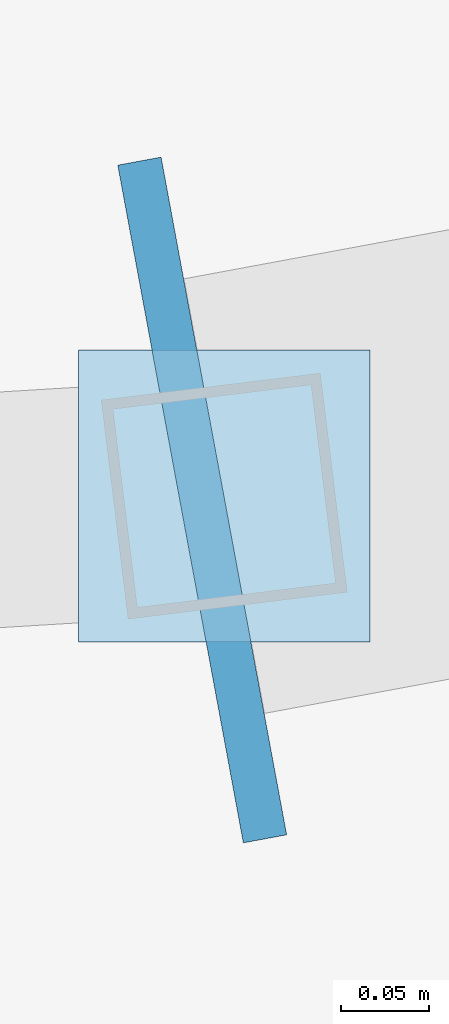
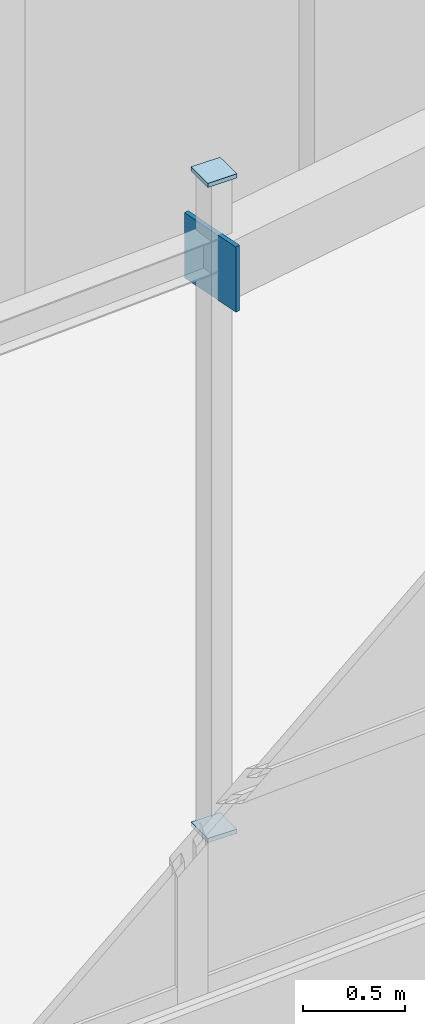
# One storey, part 84 of 128: 3 plates.
"""IFC4 building model written with IfcOpenShell, lengths in metres."""

import ifcopenshell
import ifcopenshell.guid

model = None  # the IFC model being written
_history = None  # IfcOwnerHistory: only IFC2X3 demands one
_inside = {}  # id of a spatial element -> (the spatial element, [elements in it])
_under = {}  # id of a project, library or spatial element -> (it, [spatial elements below it])
_declared = {}  # id of a project -> (the project, [libraries it declares])
_typed = {}  # id of a type object -> (the type object, [elements of that type])
_made_of = {}  # id of a material, layer set ... -> (it, [elements and type objects made of it])


def new_model(schema):
    """Start an empty IFC model of exactly this schema.

    Asked for "IFC4X3", IfcOpenShell would pick the latest addendum, in which some entities
    have other attributes; the version numbers below select the first issue.
    IFC2X3 requires an IfcOwnerHistory on every rooted entity: one is made here for all.
    """
    global model, _history
    if schema == "IFC4X3":
        model = ifcopenshell.file(schema_version=(4, 3, 0, 0))
    else:
        model = ifcopenshell.file(schema=schema)
    _inside.clear()
    _under.clear()
    _declared.clear()
    _typed.clear()
    _made_of.clear()
    _history = None
    if model.schema == "IFC2X3":
        org = make("IfcOrganization", Name="unknown")
        user = make(
            "IfcPersonAndOrganization",
            ThePerson=make("IfcPerson", FamilyName="unknown"),
            TheOrganization=org,
        )
        app = make(
            "IfcApplication",
            ApplicationDeveloper=org,
            Version="unknown",
            ApplicationFullName="unknown",
            ApplicationIdentifier="unknown",
        )
        _history = make(
            "IfcOwnerHistory",
            OwningUser=user,
            OwningApplication=app,
            ChangeAction="ADDED",
            CreationDate=0,
        )
    return model


def make(cls, **values):
    """One entity of the class cls with the attributes given. An attribute that is None is left unset."""
    return model.create_entity(
        cls, **{name: value for name, value in values.items() if value is not None}
    )


def rooted(cls, **values):
    """An entity with a GlobalId (a new one), such as an element, a storey or a relation."""
    return make(cls, GlobalId=ifcopenshell.guid.new(), OwnerHistory=_history, **values)


def si_unit(unit_type, name, prefix=None):
    """IfcSIUnit, for example si_unit("LENGTHUNIT", "METRE", prefix="MILLI")."""
    return make("IfcSIUnit", UnitType=unit_type, Prefix=prefix, Name=name)


def assignment(units):
    """IfcUnitAssignment: the units of a project."""
    return None if units is None else make("IfcUnitAssignment", Units=units)


def point(xyz):
    """IfcCartesianPoint."""
    return None if xyz is None else make("IfcCartesianPoint", Coordinates=xyz)


def direction(xyz):
    """IfcDirection."""
    return None if xyz is None else make("IfcDirection", DirectionRatios=xyz)


def frame(location, z_axis=None, x_axis=None):
    """IfcAxis2Placement3D, a coordinate frame: its origin and axes. An axis left out is left unset."""
    return make(
        "IfcAxis2Placement3D",
        Location=point(location),
        Axis=direction(z_axis),
        RefDirection=direction(x_axis),
    )


def frame_2d(location, x_axis=None):
    """IfcAxis2Placement2D, a coordinate frame in the plane: its origin and x axis."""
    return make(
        "IfcAxis2Placement2D", Location=point(location), RefDirection=direction(x_axis)
    )


def origin():
    """The frame at (0, 0, 0) with its axes left unset."""
    return frame((0.0, 0.0, 0.0))


def origin_2d():
    """The frame at (0, 0) in the plane with its x axis left unset."""
    return frame_2d((0.0, 0.0))


def place(relative_to, where):
    """IfcLocalPlacement: puts the frame where relative to a parent placement (None: the world)."""
    return make(
        "IfcLocalPlacement", PlacementRelTo=relative_to, RelativePlacement=where
    )


def context(
    kind, dimensions, precision=None, world=None, true_north=None, identifier=None
):
    """IfcGeometricRepresentationContext, for example the 3D "Model" context."""
    return make(
        "IfcGeometricRepresentationContext",
        ContextIdentifier=identifier,
        ContextType=kind,
        CoordinateSpaceDimension=dimensions,
        Precision=precision,
        WorldCoordinateSystem=world,
        TrueNorth=true_north,
    )


def subcontext(parent, identifier, kind, view, scale=None):
    """IfcGeometricRepresentationSubContext, for example "Body" below "Model"."""
    return make(
        "IfcGeometricRepresentationSubContext",
        ContextIdentifier=identifier,
        ContextType=kind,
        ParentContext=parent,
        TargetScale=scale,
        TargetView=view,
    )


def project(units=None, contexts=None):
    """IfcProject with its units and contexts."""
    return rooted(
        "IfcProject",
        Name="project",
        RepresentationContexts=contexts,
        UnitsInContext=assignment(units),
    )


def spatial(cls, under=None, at=None, **own):
    """A site, building, storey or space (cls), placed at a placement, below another one or the project."""
    s = rooted(cls, ObjectPlacement=at, **own)
    if under is not None:
        _under.setdefault(under.id(), (under, []))[1].append(s)
    return s


def profile(cls, at=None, kind="AREA", **sizes):
    """A parametric profile (cls). Its sizes go by their IFC names, for example OverallWidth=200.0."""
    return make(cls, ProfileType=kind, Position=at, **sizes)


def rectangle(**sizes):
    """IfcRectangleProfileDef."""
    return profile("IfcRectangleProfileDef", **sizes)


def extrude(swept, where, along, depth):
    """IfcExtrudedAreaSolid: the profile swept, set in the frame where, extruded along a direction by depth."""
    return make(
        "IfcExtrudedAreaSolid",
        SweptArea=swept,
        Position=where,
        ExtrudedDirection=direction(along),
        Depth=depth,
    )


def shape(context_of_items, identifier, shape_type, items):
    """IfcShapeRepresentation: the items that make up one representation, for example the "Body"."""
    return make(
        "IfcShapeRepresentation",
        ContextOfItems=context_of_items,
        RepresentationIdentifier=identifier,
        RepresentationType=shape_type,
        Items=items,
    )


def material(Name=None, Category=None):
    """IfcMaterial."""
    return make("IfcMaterial", Name=Name, Category=Category)


def layer(
    of_material, thickness, ventilated=None, Name=None, Category=None, Priority=None
):
    """IfcMaterialLayer: one layer of a wall or slab, of a material (None: an air gap)."""
    return make(
        "IfcMaterialLayer",
        Material=of_material,
        LayerThickness=thickness,
        IsVentilated=ventilated,
        Name=Name,
        Category=Category,
        Priority=Priority,
    )


def layer_set(layers, Name=None):
    """IfcMaterialLayerSet."""
    return make("IfcMaterialLayerSet", MaterialLayers=layers, LayerSetName=Name)


def made_of(thing, what):
    """Note that an element or type object is made of a material, layer set ...; save() writes the relation."""
    if what is not None:
        _made_of.setdefault(what.id(), (what, []))[1].append(thing)
    return thing


def type_object(cls, material=None, **own):
    """A type object (cls), such as IfcWallType, which elements share."""
    return made_of(rooted(cls, **own), material)


def element(
    cls,
    number,
    at=None,
    inside=None,
    cuts=None,
    type_object=None,
    material=None,
    context=None,
    identifier="Body",
    shape_type=None,
    held_by="IfcProductDefinitionShape",
    body=None,
    shapes=None,
    **own,
):
    """One element of the class cls, such as IfcWall. Its Tag is "e" and its number.

    at: its placement. inside: the storey or other place that contains it. cuts: it is an
    opening in that element (IfcRelVoidsElement). A single representation is given by context,
    identifier, shape_type and body (its items); several are given by shapes. held_by: the class
    of the entity that holds the representations. save() writes the other relations.
    """
    e = rooted(cls, Tag="e%d" % number, ObjectPlacement=at, **own)
    if body is not None:
        shapes = [shape(context, identifier, shape_type, body)]
    if shapes is not None:
        e.Representation = make(held_by, Representations=shapes)
    if inside is not None:
        _inside.setdefault(inside.id(), (inside, []))[1].append(e)
    if cuts is not None:
        rooted(
            "IfcRelVoidsElement", RelatingBuildingElement=cuts, RelatedOpeningElement=e
        )
    if type_object is not None:
        _typed.setdefault(type_object.id(), (type_object, []))[1].append(e)
    return made_of(e, material)


def aggregate(whole, parts):
    """IfcRelAggregates: a whole, such as a stair, and the parts it consists of."""
    return rooted("IfcRelAggregates", RelatingObject=whole, RelatedObjects=parts)


def save(model, path):
    """Write the relations noted so far, then the file.

    IfcRelAggregates (storeys below a building ...), IfcRelContainedInSpatialStructure (elements
    in a storey), IfcRelDefinesByType, IfcRelAssociatesMaterial and IfcRelDeclares: one each for
    every whole, place, type object, material and project.
    """
    for whole, parts in _under.values():
        aggregate(whole, parts)
    for where, things in _inside.values():
        rooted(
            "IfcRelContainedInSpatialStructure",
            RelatedElements=things,
            RelatingStructure=where,
        )
    for kind, things in _typed.values():
        rooted("IfcRelDefinesByType", RelatedObjects=things, RelatingType=kind)
    for what, things in _made_of.values():
        rooted("IfcRelAssociatesMaterial", RelatedObjects=things, RelatingMaterial=what)
    for by, libraries in _declared.values():
        rooted("IfcRelDeclares", RelatingContext=by, RelatedDefinitions=libraries)
    model.write(path)


model = new_model("IFC4")

# Units and contexts
model_context = context("Model", 3, precision=1e-05, world=origin(), true_north=direction((0.0, 1.0)))
body_context = subcontext(model_context, "Body", "Model", "MODEL_VIEW")
ifc_project = project(units=[si_unit("LENGTHUNIT", "METRE"), si_unit("AREAUNIT", "SQUARE_METRE"), si_unit("VOLUMEUNIT", "CUBIC_METRE"), si_unit("PLANEANGLEUNIT", "RADIAN"), si_unit("MASSUNIT", "GRAM", prefix="KILO")], contexts=[model_context])

# Site, building, storey
site_placement = place(None, origin())
site = spatial("IfcSite", under=ifc_project, at=site_placement, CompositionType="ELEMENT")
building_placement = place(site_placement, origin())
building = spatial("IfcBuilding", under=site, at=building_placement, Name="Tarnwether General Hospital", CompositionType="ELEMENT")
storey_placement = place(building_placement, frame((0.0, 0.0, 14.39990234375)))
storey = spatial("IfcBuildingStorey", under=building, at=storey_placement, Name="L03", CompositionType="ELEMENT", Elevation=14.39990234375)

# Plates
ifc_material = material(Name="Steel Grade 350 (350 MPa)", Category="steel")
ifc_layer = layer(ifc_material, 0.02490234375)
ifc_layer_set = layer_set([ifc_layer], Name="Steel Grade 350 (350 MPa)")
plate_type = type_object("IfcPlateType", Name="PT-GUS2", PredefinedType="USERDEFINED", material=ifc_layer_set)
for number, where, z_axis, x_axis, name in (
    (1, (99.215087890625, 4.240966796875, -0.02490234375), (0.0, 0.0, 1.0), (1.0, 0.0, 0.0), "Hollow Section Welded End Cap Plate 0697"),
    (2, (99.215087890625, 4.240966796875, 3.900146484375), (0.0, 0.0, 1.0), (1.0, 0.0, 0.0), "Hollow Section Welded End Cap Plate 0698"),
):
    element("IfcPlate", number, at=place(storey_placement, frame(where, z_axis=z_axis, x_axis=x_axis)), inside=storey, type_object=plate_type, Name=name, ObjectType="GUSSET", PredefinedType="USERDEFINED", context=body_context, shape_type="SweptSolid", body=[
        extrude(rectangle(XDim=0.1650390625, YDim=0.1650390625, at=origin_2d()), origin(), (0.0, 0.0, 1.0), 0.02490234375),
    ])
plate_placement = place(storey_placement, frame((99.20263671875, 4.23876953125, 3.18994140625), z_axis=(0.0, 0.0, 1.0), x_axis=(0.983261268185, 0.18220120331, 0.0)))
element("IfcPlate", 3, at=plate_placement, inside=storey, type_object=plate_type, Name="Hollow Section Welded End Cap Plate 1117", ObjectType="GUSSET", PredefinedType="USERDEFINED", context=body_context, shape_type="SweptSolid", body=[
    extrude(rectangle(XDim=0.02490234375, YDim=0.389892578125, at=origin_2d()), origin(), (0.0, 0.0, 1.0), 0.389892578125),
])

save(model, "model.ifc")
